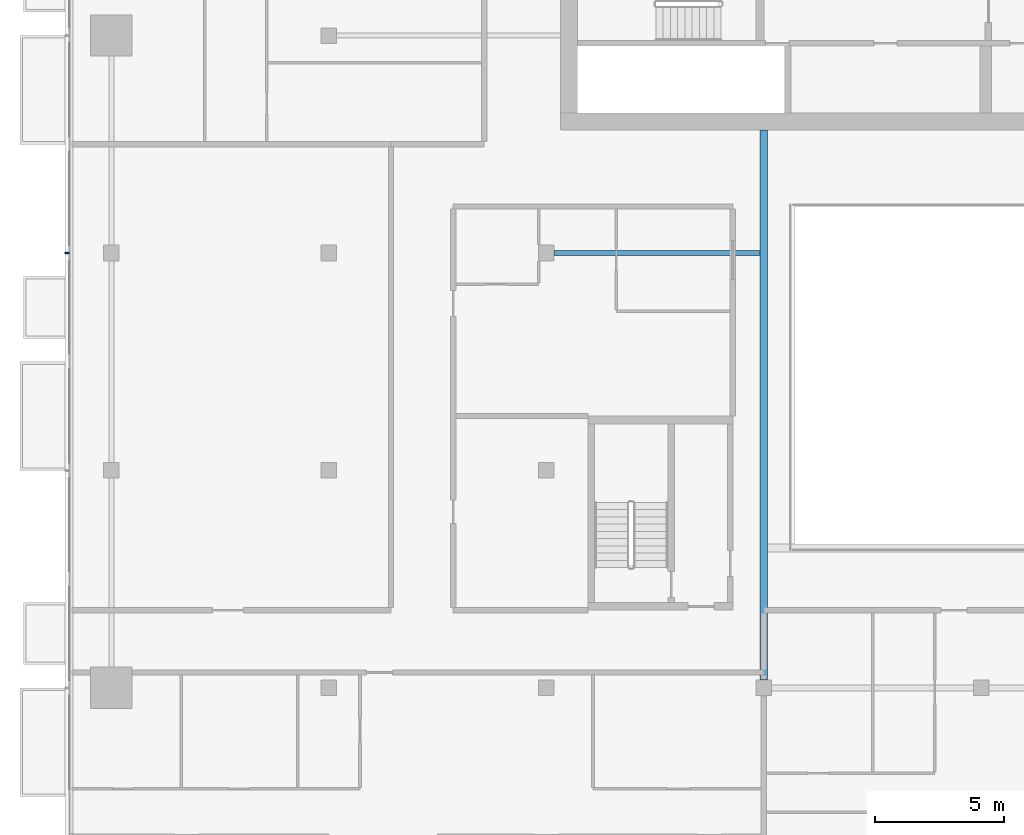
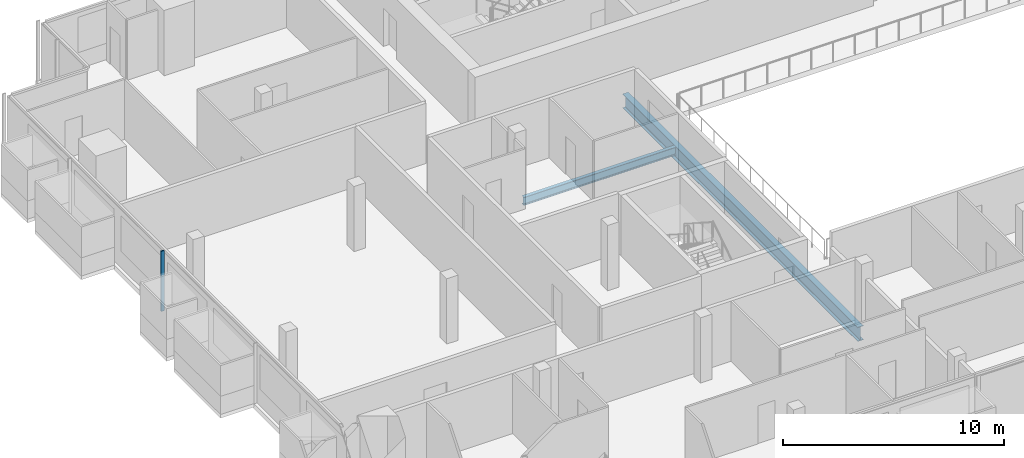
# One storey, part 4 of 27: 2 beams, 1 member, 1 element without a shape of its own.
"""IFC4 building model written with IfcOpenShell, lengths in metres."""

from ifc_helpers import new_model, si_unit, direction, frame, origin, origin_2d, place, context, subcontext, project, spatial, rectangle, i_section, extrude, material, material_profile, profile_set, type_object, element, aggregate, save


model = new_model("IFC4")

# Units and contexts
model_context = context("Model", 3, precision=1e-05, world=origin(), true_north=direction((0.0, 1.0)))
body_context = subcontext(model_context, "Body", "Model", "MODEL_VIEW")
ifc_project = project(units=[si_unit("LENGTHUNIT", "METRE"), si_unit("AREAUNIT", "SQUARE_METRE"), si_unit("VOLUMEUNIT", "CUBIC_METRE"), si_unit("PLANEANGLEUNIT", "RADIAN"), si_unit("MASSUNIT", "GRAM", prefix="KILO")], contexts=[model_context])

# Site, building, storey
site_placement = place(None, origin())
site = spatial("IfcSite", under=ifc_project, at=site_placement, CompositionType="ELEMENT")
building_placement = place(site_placement, origin())
building = spatial("IfcBuilding", under=site, at=building_placement, Name="Saffron Gate Tower", CompositionType="ELEMENT")
storey_placement = place(building_placement, frame((0.0, 0.0, 212.699951171875)))
storey = spatial("IfcBuildingStorey", under=building, at=storey_placement, Name="L51", CompositionType="ELEMENT", Elevation=212.699951171875)

# Beams
ifc_material_1 = material(Name="Structural steel S355", Category="steel")
ifc_material_profile_1 = material_profile(ifc_material_1, i_section(OverallWidth=0.300048828125, OverallDepth=0.7900390625, WebThickness=0.014892578125, FlangeThickness=0.028076171875, FilletRadius=0.030029296875, at=origin_2d()))
ifc_profile_set_1 = profile_set([ifc_material_profile_1], Name="Structural steel S355")
beam_type_1 = type_object("IfcBeamType", Name="B18 HEA 800", PredefinedType="BEAM", material=ifc_profile_set_1)
beam_1_placement = place(storey_placement, frame((75.0, 40.5, -0.675048828125), z_axis=(0.0, 1.0, 0.0), x_axis=(-1.0, 0.0, 0.0)))
element("IfcBeam", 1, at=beam_1_placement, inside=storey, type_object=beam_type_1, Name="B18 ATRIUM GIRDER", PredefinedType="BEAM", context=body_context, shape_type="SweptSolid", body=[
    extrude(i_section(OverallWidth=0.300048828125, OverallDepth=0.7900390625, WebThickness=0.014892578125, FlangeThickness=0.028076171875, FilletRadius=0.030029296875, at=origin_2d()), origin(), (0.0, 0.0, 1.0), 21.25),
])
ifc_material_profile_2 = material_profile(ifc_material_1, i_section(OverallWidth=0.18994140625, OverallDepth=0.449951171875, WebThickness=0.009521484375, FlangeThickness=0.0146484375, FilletRadius=0.02099609375, at=origin_2d()))
ifc_profile_set_2 = profile_set([ifc_material_profile_2], Name="Structural steel S355")
beam_type_2 = type_object("IfcBeamType", Name="B6 IPE 450", PredefinedType="BEAM", material=ifc_profile_set_2)
beam_2_placement = place(storey_placement, frame((66.89990234375, 57.0, -0.5048828125), z_axis=(1.0, 0.0, 0.0), x_axis=(0.0, 1.0, 0.0)))
element("IfcBeam", 2, at=beam_2_placement, inside=storey, type_object=beam_type_2, Name="B6 CORE TIE BEAM", PredefinedType="BEAM", context=body_context, shape_type="SweptSolid", body=[
    extrude(i_section(OverallWidth=0.18994140625, OverallDepth=0.449951171875, WebThickness=0.009521484375, FlangeThickness=0.0146484375, FilletRadius=0.02099609375, at=origin_2d()), origin(), (0.0, 0.0, 1.0), 7.9501953125),
])

# Curtain wall, member
ifc_material_2 = material(Name="Aluminium, bronze anodised", Category="aluminium")
curtain_wall_type = type_object("IfcCurtainWallType", Name="CWS2 curtain wall side facades", PredefinedType="NOTDEFINED", material=ifc_material_2)
curtain_wall_placement = place(storey_placement, origin())
curtain_wall = element("IfcCurtainWall", 3, at=curtain_wall_placement, inside=storey, type_object=curtain_wall_type, Name="CWS2 run 10", PredefinedType="NOTDEFINED")
ifc_material_profile_3 = material_profile(ifc_material_2, rectangle(XDim=0.159912109375, YDim=0.06005859375, at=origin_2d()))
ifc_profile_set_3 = profile_set([ifc_material_profile_3], Name="Aluminium, bronze anodised")
member_type = type_object("IfcMemberType", Name="CWS2 mullion 60x160", PredefinedType="MULLION", material=ifc_profile_set_3)
member_placement = place(storey_placement, frame((48.080078125, 57.0, 0.0), z_axis=(0.0, 0.0, 1.0), x_axis=(1.0, 0.0, 0.0)))
member = element("IfcMember", 4, at=member_placement, type_object=member_type, Name="CWS2 mullion 3", PredefinedType="MULLION", context=body_context, shape_type="SweptSolid", body=[
    extrude(rectangle(XDim=0.159912109375, YDim=0.06005859375, at=origin_2d()), origin(), (0.0, 0.0, 1.0), 3.320068359375),
])
aggregate(curtain_wall, [member])

save(model, "model.ifc")
